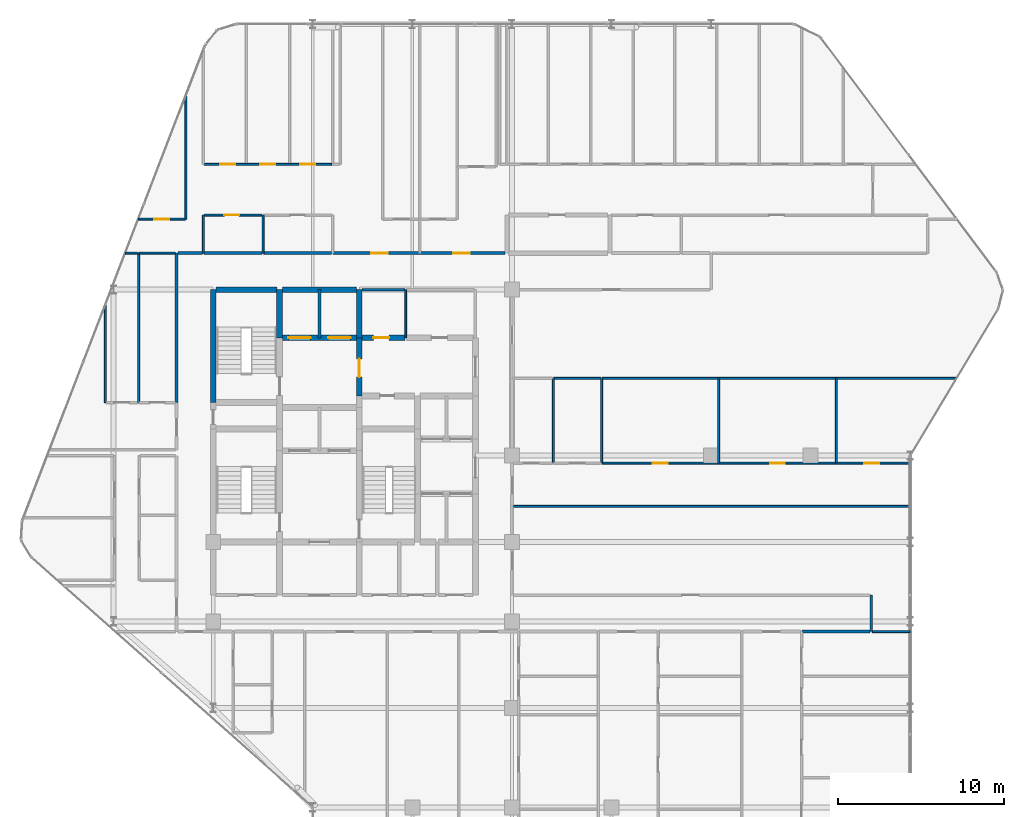
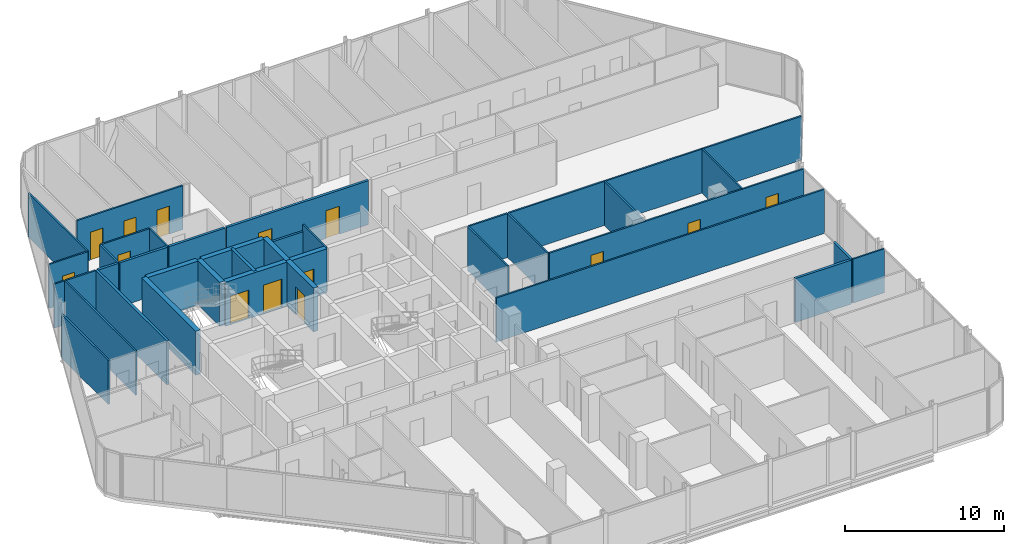
# One storey, part 28 of 31: 37 walls, 14 doors, 14 openings.
"""IFC4 building model written with IfcOpenShell, lengths in metres."""

from ifc_helpers import new_model, si_unit, direction, frame, frame_2d, origin, place, context, subcontext, project, spatial, rectangle, extrude, material, layer, layer_set, type_object, element, fill, save


model = new_model("IFC4")

# Units and contexts
model_context = context("Model", 3, precision=1e-05, world=origin(), true_north=direction((0.0, 1.0)))
body_context = subcontext(model_context, "Body", "Model", "MODEL_VIEW")
ifc_project = project(units=[si_unit("LENGTHUNIT", "METRE"), si_unit("AREAUNIT", "SQUARE_METRE"), si_unit("VOLUMEUNIT", "CUBIC_METRE"), si_unit("PLANEANGLEUNIT", "RADIAN"), si_unit("MASSUNIT", "GRAM", prefix="KILO")], contexts=[model_context])

# Site, building, storey
site_placement = place(None, origin())
site = spatial("IfcSite", under=ifc_project, at=site_placement, CompositionType="ELEMENT")
building_placement = place(site_placement, origin())
building = spatial("IfcBuilding", under=site, at=building_placement, Name="Keshet Zoharim Tower", CompositionType="ELEMENT")
storey_placement = place(building_placement, frame((0.0, 0.0, 144.60009765625)))
storey = spatial("IfcBuildingStorey", under=building, at=storey_placement, Name="L35", CompositionType="ELEMENT", Elevation=144.60009765625)

# Walls
ifc_material_1 = material(Name="Gypsum Plasterboard", Category="gypsum")
ifc_layer_1 = layer(ifc_material_1, 0.14990234375)
ifc_layer_set_1 = layer_set([ifc_layer_1], Name="Gypsum Plasterboard")
wall_type_1 = type_object("IfcWallType", Name="WL-CLIN-150", PredefinedType="STANDARD", material=ifc_layer_set_1)
wall_1_placement = place(storey_placement, frame((54.64990234375, 17.31005859375, 0.0), z_axis=(0.0, 0.0, 1.0), x_axis=(0.0, 1.0, 0.0)))
element("IfcWall", 1, at=wall_1_placement, inside=storey, type_object=wall_type_1, Name="L35 Interior Wall 103", PredefinedType="STANDARD", context=body_context, shape_type="SweptSolid", body=[
    extrude(rectangle(XDim=2.18994140625, YDim=0.14990234375, at=frame_2d((1.094970703125, 0.0))), origin(), (0.0, 0.0, 1.0), 3.385009765625),
])
wall_2_placement = place(storey_placement, frame((23.9599609375, 37.89990234375, 0.0), z_axis=(0.0, 0.0, 1.0), x_axis=(1.0, 0.0, 0.0)))
element("IfcWall", 2, at=wall_2_placement, inside=storey, type_object=wall_type_1, Name="L35 Interior Wall 173", PredefinedType="STANDARD", context=body_context, shape_type="SweptSolid", body=[
    extrude(rectangle(XDim=2.594970703125, YDim=0.14990234375, at=frame_2d((1.29736328125, 0.0))), origin(), (0.0, 0.0, 1.0), 2.885009765625),
])
ifc_material_2 = material(Name="Concrete C60/75", Category="concrete")
ifc_layer_2 = layer(ifc_material_2, 0.35009765625)
ifc_layer_set_2 = layer_set([ifc_layer_2], Name="Concrete C60/75")
wall_type_2 = type_object("IfcWallType", Name="WL-CORE-350", PredefinedType="SHEAR", material=ifc_layer_set_2)
wall_3_placement = place(storey_placement, frame((15.0, 31.10009765625, 0.0), z_axis=(0.0, 0.0, 1.0), x_axis=(0.0, 1.0, 0.0)))
element("IfcWall", 3, at=wall_3_placement, inside=storey, type_object=wall_type_2, Name="L35 Core Shear Wall 017", PredefinedType="SHEAR", context=body_context, shape_type="SweptSolid", body=[
    extrude(rectangle(XDim=6.7998046875, YDim=0.35009765625, at=frame_2d((3.39990234375, 0.0))), origin(), (0.0, 0.0, 1.0), 3.385009765625),
])
wall_4_placement = place(storey_placement, frame((19.0, 35.0, 0.0), z_axis=(0.0, 0.0, 1.0), x_axis=(0.0, 1.0, 0.0)))
element("IfcWall", 4, at=wall_4_placement, inside=storey, type_object=wall_type_2, Name="L35 Core Shear Wall 028", PredefinedType="SHEAR", context=body_context, shape_type="SweptSolid", body=[
    extrude(rectangle(XDim=2.89990234375, YDim=0.35009765625, at=frame_2d((1.449951171875, 0.0))), origin(), (0.0, 0.0, 1.0), 3.385009765625),
])

# Wall, opening, door
wall_5_placement = place(storey_placement, frame((23.800048828125, 31.5, 0.0), z_axis=(0.0, 0.0, 1.0), x_axis=(0.0, 1.0, 0.0)))
wall_5 = element("IfcWall", 5, at=wall_5_placement, inside=storey, type_object=wall_type_2, Name="L35 Core Shear Wall 041", PredefinedType="SHEAR", context=body_context, shape_type="SweptSolid", body=[
    extrude(rectangle(XDim=3.5, YDim=0.35009765625, at=frame_2d((1.75, 0.0))), origin(), (0.0, 0.0, 1.0), 3.385009765625),
])
opening_1_placement = place(wall_5_placement, frame((1.126953125, 0.0, 0.0)))
opening_1 = element("IfcOpeningElement", 6, at=opening_1_placement, cuts=wall_5, Name="Opening D-F611", PredefinedType="OPENING", context=body_context, shape_type="SweptSolid", body=[
    extrude(rectangle(XDim=1.10009765625, YDim=2.14990234375, at=frame_2d((0.550048828125, 1.074951171875))), frame((0.0, 0.18505859375, 0.0), z_axis=(0.0, -1.0, 0.0), x_axis=(1.0, 0.0, 0.0)), (0.0, 0.0, 1.0), 0.3701171875),
])
ifc_material_3 = material(Name="Hardwood Timber", Category="wood")
door_type_1 = type_object("IfcDoorType", Name="DR-FD60-110", OperationType="NOTDEFINED", PredefinedType="DOOR", material=ifc_material_3)
door_1_placement = place(opening_1_placement, origin())
door_1 = element("IfcDoor", 7, at=door_1_placement, inside=storey, type_object=door_type_1, Name="L35 Firefighting Lobby Fire Door", OperationType="SINGLE_SWING_LEFT", OverallHeight=2.14990234375, OverallWidth=1.10009765625, PredefinedType="DOOR", context=body_context, shape_type="SweptSolid", body=[
    extrude(rectangle(XDim=1.10009765625, YDim=2.14990234375, at=frame_2d((0.550048828125, 1.074951171875))), frame((0.0, 0.02490234375, 0.0), z_axis=(0.0, -1.0, 0.0), x_axis=(1.0, 0.0, 0.0)), (0.0, 0.0, 1.0), 0.050048828125),
])
fill(opening_1, door_1)

# Wall
wall_6_placement = place(storey_placement, frame((23.800048828125, 35.0, 0.0), z_axis=(0.0, 0.0, 1.0), x_axis=(0.0, 1.0, 0.0)))
element("IfcWall", 8, at=wall_6_placement, inside=storey, type_object=wall_type_2, Name="L35 Core Shear Wall 042", PredefinedType="SHEAR", context=body_context, shape_type="SweptSolid", body=[
    extrude(rectangle(XDim=2.89990234375, YDim=0.35009765625, at=frame_2d((1.449951171875, 0.0))), origin(), (0.0, 0.0, 1.0), 3.385009765625),
])

# Wall, openings, doors
wall_7_placement = place(storey_placement, frame((19.159912109375, 35.0, 0.0), z_axis=(0.0, 0.0, 1.0), x_axis=(1.0, 0.0, 0.0)))
wall_7 = element("IfcWall", 9, at=wall_7_placement, inside=storey, type_object=wall_type_2, Name="L35 Core Shear Wall 168", PredefinedType="SHEAR", context=body_context, shape_type="SweptSolid", body=[
    extrude(rectangle(XDim=4.47998046875, YDim=0.35009765625, at=frame_2d((2.239990234375, 0.0))), origin(), (0.0, 0.0, 1.0), 3.385009765625),
])
opening_2_placement = place(wall_7_placement, frame((0.364990234375, 0.0, 0.0)))
opening_2 = element("IfcOpeningElement", 10, at=opening_2_placement, cuts=wall_7, Name="Opening LD-02", PredefinedType="OPENING", context=body_context, shape_type="SweptSolid", body=[
    extrude(rectangle(XDim=1.35009765625, YDim=2.199951171875, at=frame_2d((0.675048828125, 1.10009765625))), frame((0.0, 0.18505859375, 0.0), z_axis=(0.0, -1.0, 0.0), x_axis=(1.0, 0.0, 0.0)), (0.0, 0.0, 1.0), 0.3701171875),
])
opening_3_placement = place(wall_7_placement, frame((2.764892578125, 0.0, 0.0)))
opening_3 = element("IfcOpeningElement", 11, at=opening_3_placement, cuts=wall_7, Name="Opening LD-02", PredefinedType="OPENING", context=body_context, shape_type="SweptSolid", body=[
    extrude(rectangle(XDim=1.35009765625, YDim=2.199951171875, at=frame_2d((0.675048828125, 1.10009765625))), frame((0.0, 0.18505859375, 0.0), z_axis=(0.0, -1.0, 0.0), x_axis=(1.0, 0.0, 0.0)), (0.0, 0.0, 1.0), 0.3701171875),
])
ifc_material_4 = material(Name="Steel S355", Category="steel")
door_type_2 = type_object("IfcDoorType", Name="DR-LD02-135", OperationType="DOUBLE_DOOR_SLIDING", PredefinedType="DOOR", material=ifc_material_4)
door_2_placement = place(opening_2_placement, origin())
door_2 = element("IfcDoor", 12, at=door_2_placement, inside=storey, type_object=door_type_2, Name="L35 Firefighting Lift Landing Door FF-01", OperationType="DOUBLE_DOOR_SLIDING", OverallHeight=2.199951171875, OverallWidth=1.35009765625, PredefinedType="DOOR", context=body_context, shape_type="SweptSolid", body=[
    extrude(rectangle(XDim=1.35009765625, YDim=2.199951171875, at=frame_2d((0.675048828125, 1.10009765625))), frame((0.0, 0.02490234375, 0.0), z_axis=(0.0, -1.0, 0.0), x_axis=(1.0, 0.0, 0.0)), (0.0, 0.0, 1.0), 0.050048828125),
])
fill(opening_2, door_2)
door_3_placement = place(opening_3_placement, origin())
door_3 = element("IfcDoor", 13, at=door_3_placement, inside=storey, type_object=door_type_2, Name="L35 Firefighting Lift Landing Door FF-02", OperationType="DOUBLE_DOOR_SLIDING", OverallHeight=2.199951171875, OverallWidth=1.35009765625, PredefinedType="DOOR", context=body_context, shape_type="SweptSolid", body=[
    extrude(rectangle(XDim=1.35009765625, YDim=2.199951171875, at=frame_2d((0.675048828125, 1.10009765625))), frame((0.0, 0.02490234375, 0.0), z_axis=(0.0, -1.0, 0.0), x_axis=(1.0, 0.0, 0.0)), (0.0, 0.0, 1.0), 0.050048828125),
])
fill(opening_3, door_3)

# Wall, opening, door
wall_8_placement = place(storey_placement, frame((23.9599609375, 35.0, 0.0), z_axis=(0.0, 0.0, 1.0), x_axis=(1.0, 0.0, 0.0)))
wall_8 = element("IfcWall", 14, at=wall_8_placement, inside=storey, type_object=wall_type_2, Name="L35 Core Shear Wall 169", PredefinedType="SHEAR", context=body_context, shape_type="SweptSolid", body=[
    extrude(rectangle(XDim=2.594970703125, YDim=0.35009765625, at=frame_2d((1.29736328125, 0.0))), origin(), (0.0, 0.0, 1.0), 3.385009765625),
])
opening_4_placement = place(wall_8_placement, frame((0.69091796875, 0.0, 0.0)))
opening_4 = element("IfcOpeningElement", 15, at=opening_4_placement, cuts=wall_8, Name="Opening D-F695", PredefinedType="OPENING", context=body_context, shape_type="SweptSolid", body=[
    extrude(rectangle(XDim=0.949951171875, YDim=2.14990234375, at=frame_2d((0.47509765625, 1.074951171875))), frame((0.0, 0.18505859375, 0.0), z_axis=(0.0, -1.0, 0.0), x_axis=(1.0, 0.0, 0.0)), (0.0, 0.0, 1.0), 0.3701171875),
])
door_type_3 = type_object("IfcDoorType", Name="DR-FD60-095", OperationType="NOTDEFINED", PredefinedType="DOOR", material=ifc_material_3)
door_4_placement = place(opening_4_placement, frame((0.949951171875, 0.0, 0.0), z_axis=(0.0, 0.0, 1.0), x_axis=(-1.0, 0.0, 0.0)))
door_4 = element("IfcDoor", 16, at=door_4_placement, inside=storey, type_object=door_type_3, Name="L35 Laundry Room Door", OperationType="SINGLE_SWING_RIGHT", OverallHeight=2.14990234375, OverallWidth=0.949951171875, PredefinedType="DOOR", context=body_context, shape_type="SweptSolid", body=[
    extrude(rectangle(XDim=0.949951171875, YDim=2.14990234375, at=frame_2d((0.47509765625, 1.074951171875))), frame((0.0, 0.02490234375, 0.0), z_axis=(0.0, -1.0, 0.0), x_axis=(1.0, 0.0, 0.0)), (0.0, 0.0, 1.0), 0.050048828125),
])
fill(opening_4, door_4)

# Walls
wall_9_placement = place(storey_placement, frame((15.159912109375, 37.89990234375, 0.0), z_axis=(0.0, 0.0, 1.0), x_axis=(1.0, 0.0, 0.0)))
element("IfcWall", 17, at=wall_9_placement, inside=storey, type_object=wall_type_2, Name="L35 Core Shear Wall 171", PredefinedType="SHEAR", context=body_context, shape_type="SweptSolid", body=[
    extrude(rectangle(XDim=3.68017578125, YDim=0.35009765625, at=frame_2d((1.840087890625, 0.0))), origin(), (0.0, 0.0, 1.0), 3.385009765625),
])
wall_10_placement = place(storey_placement, frame((19.159912109375, 37.89990234375, 0.0), z_axis=(0.0, 0.0, 1.0), x_axis=(1.0, 0.0, 0.0)))
element("IfcWall", 18, at=wall_10_placement, inside=storey, type_object=wall_type_2, Name="L35 Core Shear Wall 172", PredefinedType="SHEAR", context=body_context, shape_type="SweptSolid", body=[
    extrude(rectangle(XDim=4.47998046875, YDim=0.35009765625, at=frame_2d((2.239990234375, 0.0))), origin(), (0.0, 0.0, 1.0), 3.385009765625),
])
ifc_layer_3 = layer(ifc_material_1, 0.179931640625)
ifc_layer_set_3 = layer_set([ifc_layer_3], Name="Gypsum Plasterboard")
wall_type_3 = type_object("IfcWallType", Name="WL-CORR-180", PredefinedType="STANDARD", material=ifc_layer_set_3)
wall_11_placement = place(storey_placement, frame((12.800048828125, 31.090087890625, 0.0), z_axis=(0.0, 0.0, 1.0), x_axis=(0.0, 1.0, 0.0)))
element("IfcWall", 19, at=wall_11_placement, inside=storey, type_object=wall_type_3, Name="L35 Interior Wall 010", PredefinedType="STANDARD", context=body_context, shape_type="SweptSolid", body=[
    extrude(rectangle(XDim=9.010009765625, YDim=0.179931640625, at=frame_2d((4.5048828125, 0.0))), origin(), (0.0, 0.0, 1.0), 3.385009765625),
])
wall_12_placement = place(storey_placement, frame((50.485107421875, 17.300048828125, 0.0), z_axis=(0.0, 0.0, 1.0), x_axis=(1.0, 0.0, 0.0)))
element("IfcWall", 20, at=wall_12_placement, inside=storey, type_object=wall_type_3, Name="L35 Interior Wall 129", PredefinedType="STANDARD", context=body_context, shape_type="SweptSolid", body=[
    extrude(rectangle(XDim=4.094970703125, YDim=0.179931640625, at=frame_2d((2.04736328125, 0.0))), origin(), (0.0, 0.0, 1.0), 3.385009765625),
])
wall_13_placement = place(storey_placement, frame((12.875, 40.10009765625, 0.0), z_axis=(0.0, 0.0, 1.0), x_axis=(1.0, 0.0, 0.0)))
element("IfcWall", 21, at=wall_13_placement, inside=storey, type_object=wall_type_3, Name="L35 Interior Wall 178", PredefinedType="STANDARD", context=body_context, shape_type="SweptSolid", body=[
    extrude(rectangle(XDim=1.47998046875, YDim=0.179931640625, at=frame_2d((0.739990234375, 0.0))), origin(), (0.0, 0.0, 1.0), 3.385009765625),
])
wall_14_placement = place(storey_placement, frame((14.445068359375, 40.10009765625, 0.0), z_axis=(0.0, 0.0, 1.0), x_axis=(1.0, 0.0, 0.0)))
element("IfcWall", 22, at=wall_14_placement, inside=storey, type_object=wall_type_3, Name="L35 Interior Wall 179", PredefinedType="STANDARD", context=body_context, shape_type="SweptSolid", body=[
    extrude(rectangle(XDim=3.489013671875, YDim=0.179931640625, at=frame_2d((1.74462890625, 0.0))), origin(), (0.0, 0.0, 1.0), 3.385009765625),
])
wall_15_placement = place(storey_placement, frame((18.02392578125, 40.10009765625, 0.0), z_axis=(0.0, 0.0, 1.0), x_axis=(1.0, 0.0, 0.0)))
element("IfcWall", 23, at=wall_15_placement, inside=storey, type_object=wall_type_3, Name="L35 Interior Wall 180", PredefinedType="STANDARD", context=body_context, shape_type="SweptSolid", body=[
    extrude(rectangle(XDim=4.111083984375, YDim=0.179931640625, at=frame_2d((2.0556640625, 0.0))), origin(), (0.0, 0.0, 1.0), 3.385009765625),
])

# Wall, openings, doors
wall_16_placement = place(storey_placement, frame((22.22509765625, 40.10009765625, 0.0), z_axis=(0.0, 0.0, 1.0), x_axis=(1.0, 0.0, 0.0)))
wall_16 = element("IfcWall", 24, at=wall_16_placement, inside=storey, type_object=wall_type_3, Name="L35 Interior Wall 181", PredefinedType="STANDARD", context=body_context, shape_type="SweptSolid", body=[
    extrude(rectangle(XDim=10.344970703125, YDim=0.179931640625, at=frame_2d((5.17236328125, 0.0))), origin(), (0.0, 0.0, 1.0), 3.385009765625),
])
opening_5_placement = place(wall_16_placement, frame((2.304931640625, 0.0, 0.0)))
opening_5 = element("IfcOpeningElement", 25, at=opening_5_placement, cuts=wall_16, Name="Opening D-F310", PredefinedType="OPENING", context=body_context, shape_type="SweptSolid", body=[
    extrude(rectangle(XDim=1.0, YDim=2.14990234375, at=frame_2d((0.5, 1.074951171875))), frame((0.0, 0.10009765625, 0.0), z_axis=(0.0, -1.0, 0.0), x_axis=(1.0, 0.0, 0.0)), (0.0, 0.0, 1.0), 0.199951171875),
])
opening_6_placement = place(wall_16_placement, frame((7.235107421875, 0.0, 0.0)))
opening_6 = element("IfcOpeningElement", 26, at=opening_6_placement, cuts=wall_16, Name="Opening D-F310", PredefinedType="OPENING", context=body_context, shape_type="SweptSolid", body=[
    extrude(rectangle(XDim=1.0, YDim=2.14990234375, at=frame_2d((0.5, 1.074951171875))), frame((0.0, 0.10009765625, 0.0), z_axis=(0.0, -1.0, 0.0), x_axis=(1.0, 0.0, 0.0)), (0.0, 0.0, 1.0), 0.199951171875),
])
door_type_4 = type_object("IfcDoorType", Name="DR-FD30-100", OperationType="NOTDEFINED", PredefinedType="DOOR", material=ifc_material_3)
door_5_placement = place(opening_5_placement, origin())
door_5 = element("IfcDoor", 27, at=door_5_placement, inside=storey, type_object=door_type_4, Name="Apartment 3505 Entrance Door", OperationType="SINGLE_SWING_LEFT", OverallHeight=2.14990234375, OverallWidth=1.0, PredefinedType="DOOR", context=body_context, shape_type="SweptSolid", body=[
    extrude(rectangle(XDim=1.0, YDim=2.14990234375, at=frame_2d((0.5, 1.074951171875))), frame((0.0, 0.02490234375, 0.0), z_axis=(0.0, -1.0, 0.0), x_axis=(1.0, 0.0, 0.0)), (0.0, 0.0, 1.0), 0.050048828125),
])
fill(opening_5, door_5)
door_6_placement = place(opening_6_placement, origin())
door_6 = element("IfcDoor", 28, at=door_6_placement, inside=storey, type_object=door_type_4, Name="Apartment 3506 Entrance Door", OperationType="SINGLE_SWING_RIGHT", OverallHeight=2.14990234375, OverallWidth=1.0, PredefinedType="DOOR", context=body_context, shape_type="SweptSolid", body=[
    extrude(rectangle(XDim=1.0, YDim=2.14990234375, at=frame_2d((0.5, 1.074951171875))), frame((0.0, 0.02490234375, 0.0), z_axis=(0.0, -1.0, 0.0), x_axis=(1.0, 0.0, 0.0)), (0.0, 0.0, 1.0), 0.050048828125),
])
fill(opening_6, door_6)

# Walls
ifc_material_5 = material(Name="Concrete C50/60", Category="concrete")
ifc_layer_4 = layer(ifc_material_5, 0.199951171875)
ifc_layer_set_4 = layer_set([ifc_layer_4], Name="Concrete C50/60")
wall_type_4 = type_object("IfcWallType", Name="WL-FIRE-200", PredefinedType="STANDARD", material=ifc_layer_set_4)
wall_17_placement = place(storey_placement, frame((21.39990234375, 35.0, 0.0), z_axis=(0.0, 0.0, 1.0), x_axis=(0.0, 1.0, 0.0)))
element("IfcWall", 29, at=wall_17_placement, inside=storey, type_object=wall_type_4, Name="L35 Interior Wall 032", PredefinedType="STANDARD", context=body_context, shape_type="SweptSolid", body=[
    extrude(rectangle(XDim=2.89990234375, YDim=0.199951171875, at=frame_2d((1.449951171875, 0.0))), origin(), (0.0, 0.0, 1.0), 3.385009765625),
])
ifc_layer_5 = layer(ifc_material_1, 0.1201171875)
ifc_layer_set_5 = layer_set([ifc_layer_5], Name="Gypsum Plasterboard")
wall_type_5 = type_object("IfcWallType", Name="WL-PART-120", PredefinedType="PARTITIONING", material=ifc_layer_set_5)
wall_18_placement = place(storey_placement, frame((8.5, 31.090087890625, 0.0), z_axis=(0.0, 0.0, 1.0), x_axis=(0.0, 1.0, 0.0)))
element("IfcWall", 30, at=wall_18_placement, inside=storey, type_object=wall_type_5, Name="L35 Interior Wall 001", PredefinedType="PARTITIONING", context=body_context, shape_type="SweptSolid", body=[
    extrude(rectangle(XDim=5.89990234375, YDim=0.1201171875, at=frame_2d((2.949951171875, 0.0))), origin(), (0.0, 0.0, 1.0), 3.385009765625),
])
wall_19_placement = place(storey_placement, frame((13.35009765625, 42.14990234375, 0.0), z_axis=(0.0, 0.0, 1.0), x_axis=(0.0, 1.0, 0.0)))
element("IfcWall", 31, at=wall_19_placement, inside=storey, type_object=wall_type_5, Name="L35 Interior Wall 011", PredefinedType="PARTITIONING", context=body_context, shape_type="SweptSolid", body=[
    extrude(rectangle(XDim=7.4501953125, YDim=0.1201171875, at=frame_2d((3.72509765625, 0.0))), origin(), (0.0, 0.0, 1.0), 3.385009765625),
])
wall_20_placement = place(storey_placement, frame((14.39990234375, 40.10009765625, 0.0), z_axis=(0.0, 0.0, 1.0), x_axis=(0.0, 1.0, 0.0)))
element("IfcWall", 32, at=wall_20_placement, inside=storey, type_object=wall_type_5, Name="L35 Interior Wall 012", PredefinedType="PARTITIONING", context=body_context, shape_type="SweptSolid", body=[
    extrude(rectangle(XDim=2.2998046875, YDim=0.1201171875, at=frame_2d((1.14990234375, 0.0))), origin(), (0.0, 0.0, 1.0), 3.385009765625),
])
wall_21_placement = place(storey_placement, frame((26.60009765625, 35.0, 0.0), z_axis=(0.0, 0.0, 1.0), x_axis=(0.0, 1.0, 0.0)))
element("IfcWall", 33, at=wall_21_placement, inside=storey, type_object=wall_type_5, Name="L35 Interior Wall 046", PredefinedType="PARTITIONING", context=body_context, shape_type="SweptSolid", body=[
    extrude(rectangle(XDim=2.89990234375, YDim=0.1201171875, at=frame_2d((1.449951171875, 0.0))), origin(), (0.0, 0.0, 1.0), 3.385009765625),
])
for number, where, z_axis, x_axis, name in (
    (34, (45.449951171875, 27.469970703125, 0.0), (0.0, 0.0, 1.0), (0.0, 1.0, 0.0), "L35 Interior Wall 092"),
    (35, (52.550048828125, 27.469970703125, 0.0), (0.0, 0.0, 1.0), (0.0, 1.0, 0.0), "L35 Interior Wall 101"),
):
    element("IfcWall", number, at=place(storey_placement, frame(where, z_axis=z_axis, x_axis=x_axis)), inside=storey, type_object=wall_type_5, Name=name, PredefinedType="PARTITIONING", context=body_context, shape_type="SweptSolid", body=[
        extrude(rectangle(XDim=5.070068359375, YDim=0.1201171875, at=frame_2d((2.53515625, 0.0))), origin(), (0.0, 0.0, 1.0), 3.385009765625),
    ])
wall_22_placement = place(storey_placement, frame((33.0849609375, 24.85009765625, 0.0), z_axis=(0.0, 0.0, 1.0), x_axis=(1.0, 0.0, 0.0)))
element("IfcWall", 36, at=wall_22_placement, inside=storey, type_object=wall_type_5, Name="L35 Interior Wall 146", PredefinedType="PARTITIONING", context=body_context, shape_type="SweptSolid", body=[
    extrude(rectangle(XDim=23.905029296875, YDim=0.1201171875, at=frame_2d((11.95263671875, 0.0))), origin(), (0.0, 0.0, 1.0), 3.385009765625),
])

# Wall, openings, doors
wall_23_placement = place(storey_placement, frame((38.445068359375, 27.449951171875, 0.0), z_axis=(0.0, 0.0, 1.0), x_axis=(1.0, 0.0, 0.0)))
wall_23 = element("IfcWall", 37, at=wall_23_placement, inside=storey, type_object=wall_type_5, Name="L35 Interior Wall 150", PredefinedType="PARTITIONING", context=body_context, shape_type="SweptSolid", body=[
    extrude(rectangle(XDim=18.544921875, YDim=0.1201171875, at=frame_2d((9.2724609375, 0.0))), origin(), (0.0, 0.0, 1.0), 3.385009765625),
])
opening_7_placement = place(wall_23_placement, frame((3.0419921875, 0.0, 0.0)))
opening_7 = element("IfcOpeningElement", 38, at=opening_7_placement, cuts=wall_23, Name="Opening D-IN90", PredefinedType="OPENING", context=body_context, shape_type="SweptSolid", body=[
    extrude(rectangle(XDim=0.89990234375, YDim=2.14990234375, at=frame_2d((0.449951171875, 1.074951171875))), frame((0.0, 0.070068359375, 0.0), z_axis=(0.0, -1.0, 0.0), x_axis=(1.0, 0.0, 0.0)), (0.0, 0.0, 1.0), 0.14013671875),
])
opening_8_placement = place(wall_23_placement, frame((10.10302734375, 0.0, 0.0)))
opening_8 = element("IfcOpeningElement", 39, at=opening_8_placement, cuts=wall_23, Name="Opening D-IN90", PredefinedType="OPENING", context=body_context, shape_type="SweptSolid", body=[
    extrude(rectangle(XDim=0.89990234375, YDim=2.14990234375, at=frame_2d((0.449951171875, 1.074951171875))), frame((0.0, 0.070068359375, 0.0), z_axis=(0.0, -1.0, 0.0), x_axis=(1.0, 0.0, 0.0)), (0.0, 0.0, 1.0), 0.14013671875),
])
opening_9_placement = place(wall_23_placement, frame((15.791015625, 0.0, 0.0)))
opening_9 = element("IfcOpeningElement", 40, at=opening_9_placement, cuts=wall_23, Name="Opening D-IN90", PredefinedType="OPENING", context=body_context, shape_type="SweptSolid", body=[
    extrude(rectangle(XDim=0.89990234375, YDim=2.14990234375, at=frame_2d((0.449951171875, 1.074951171875))), frame((0.0, 0.070068359375, 0.0), z_axis=(0.0, -1.0, 0.0), x_axis=(1.0, 0.0, 0.0)), (0.0, 0.0, 1.0), 0.14013671875),
])
door_type_5 = type_object("IfcDoorType", Name="DR-INT-090", OperationType="NOTDEFINED", PredefinedType="DOOR", material=ifc_material_3)
door_7_placement = place(opening_7_placement, origin())
door_7 = element("IfcDoor", 41, at=door_7_placement, inside=storey, type_object=door_type_5, Name="Apartment 3509 Bedroom 1 Door", OperationType="SINGLE_SWING_RIGHT", OverallHeight=2.14990234375, OverallWidth=0.89990234375, PredefinedType="DOOR", context=body_context, shape_type="SweptSolid", body=[
    extrude(rectangle(XDim=0.89990234375, YDim=2.14990234375, at=frame_2d((0.449951171875, 1.074951171875))), frame((0.0, 0.02490234375, 0.0), z_axis=(0.0, -1.0, 0.0), x_axis=(1.0, 0.0, 0.0)), (0.0, 0.0, 1.0), 0.050048828125),
])
fill(opening_7, door_7)
door_8_placement = place(opening_8_placement, origin())
door_8 = element("IfcDoor", 42, at=door_8_placement, inside=storey, type_object=door_type_5, Name="Apartment 3509 Bedroom 2 Door", OperationType="SINGLE_SWING_LEFT", OverallHeight=2.14990234375, OverallWidth=0.89990234375, PredefinedType="DOOR", context=body_context, shape_type="SweptSolid", body=[
    extrude(rectangle(XDim=0.89990234375, YDim=2.14990234375, at=frame_2d((0.449951171875, 1.074951171875))), frame((0.0, 0.02490234375, 0.0), z_axis=(0.0, -1.0, 0.0), x_axis=(1.0, 0.0, 0.0)), (0.0, 0.0, 1.0), 0.050048828125),
])
fill(opening_8, door_8)
door_9_placement = place(opening_9_placement, origin())
door_9 = element("IfcDoor", 43, at=door_9_placement, inside=storey, type_object=door_type_5, Name="Apartment 3509 Bedroom 3 Door", OperationType="SINGLE_SWING_RIGHT", OverallHeight=2.14990234375, OverallWidth=0.89990234375, PredefinedType="DOOR", context=body_context, shape_type="SweptSolid", body=[
    extrude(rectangle(XDim=0.89990234375, YDim=2.14990234375, at=frame_2d((0.449951171875, 1.074951171875))), frame((0.0, 0.02490234375, 0.0), z_axis=(0.0, -1.0, 0.0), x_axis=(1.0, 0.0, 0.0)), (0.0, 0.0, 1.0), 0.050048828125),
])
fill(opening_9, door_9)

# Walls
wall_24_placement = place(storey_placement, frame((38.445068359375, 32.550048828125, 0.0), z_axis=(0.0, 0.0, 1.0), x_axis=(1.0, 0.0, 0.0)))
element("IfcWall", 44, at=wall_24_placement, inside=storey, type_object=wall_type_5, Name="L35 Interior Wall 167", PredefinedType="PARTITIONING", context=body_context, shape_type="SweptSolid", body=[
    extrude(rectangle(XDim=21.3349609375, YDim=0.1201171875, at=frame_2d((10.66748046875, 0.0))), origin(), (0.0, 0.0, 1.0), 3.385009765625),
])
wall_25_placement = place(storey_placement, frame((9.701904296875, 40.10009765625, 0.0), z_axis=(0.0, 0.0, 1.0), x_axis=(1.0, 0.0, 0.0)))
element("IfcWall", 45, at=wall_25_placement, inside=storey, type_object=wall_type_5, Name="L35 Interior Wall 176", PredefinedType="PARTITIONING", context=body_context, shape_type="SweptSolid", body=[
    extrude(rectangle(XDim=0.731201171875, YDim=0.1201171875, at=frame_2d((0.36572265625, 0.0))), origin(), (0.0, 0.0, 1.0), 3.385009765625),
])

# Wall, opening, door
wall_26_placement = place(storey_placement, frame((10.490966796875, 42.14990234375, 0.0), z_axis=(0.0, 0.0, 1.0), x_axis=(1.0, 0.0, 0.0)))
wall_26 = element("IfcWall", 46, at=wall_26_placement, inside=storey, type_object=wall_type_5, Name="L35 Interior Wall 186", PredefinedType="PARTITIONING", context=body_context, shape_type="SweptSolid", body=[
    extrude(rectangle(XDim=2.828125, YDim=0.1201171875, at=frame_2d((1.4140625, 0.0))), origin(), (0.0, 0.0, 1.0), 3.385009765625),
])
opening_10_placement = place(wall_26_placement, frame((0.962890625, 0.0, 0.0)))
opening_10 = element("IfcOpeningElement", 47, at=opening_10_placement, cuts=wall_26, Name="Opening D-IN90", PredefinedType="OPENING", context=body_context, shape_type="SweptSolid", body=[
    extrude(rectangle(XDim=0.89990234375, YDim=2.14990234375, at=frame_2d((0.449951171875, 1.074951171875))), frame((0.0, 0.070068359375, 0.0), z_axis=(0.0, -1.0, 0.0), x_axis=(1.0, 0.0, 0.0)), (0.0, 0.0, 1.0), 0.14013671875),
])
door_10_placement = place(opening_10_placement, origin())
door_10 = element("IfcDoor", 48, at=door_10_placement, inside=storey, type_object=door_type_5, Name="Apartment 3505 Home Study Room Door", OperationType="SINGLE_SWING_LEFT", OverallHeight=2.14990234375, OverallWidth=0.89990234375, PredefinedType="DOOR", context=body_context, shape_type="SweptSolid", body=[
    extrude(rectangle(XDim=0.89990234375, YDim=2.14990234375, at=frame_2d((0.449951171875, 1.074951171875))), frame((0.0, 0.02490234375, 0.0), z_axis=(0.0, -1.0, 0.0), x_axis=(1.0, 0.0, 0.0)), (0.0, 0.0, 1.0), 0.050048828125),
])
fill(opening_10, door_10)

wall_27_placement = place(storey_placement, frame((14.445068359375, 42.39990234375, 0.0), z_axis=(0.0, 0.0, 1.0), x_axis=(1.0, 0.0, 0.0)))
wall_27 = element("IfcWall", 49, at=wall_27_placement, inside=storey, type_object=wall_type_5, Name="L35 Interior Wall 189", PredefinedType="PARTITIONING", context=body_context, shape_type="SweptSolid", body=[
    extrude(rectangle(XDim=3.489013671875, YDim=0.1201171875, at=frame_2d((1.74462890625, 0.0))), origin(), (0.0, 0.0, 1.0), 3.385009765625),
])
opening_11_placement = place(wall_27_placement, frame((1.221923828125, 0.0, 0.0)))
opening_11 = element("IfcOpeningElement", 50, at=opening_11_placement, cuts=wall_27, Name="Opening D-IN90", PredefinedType="OPENING", context=body_context, shape_type="SweptSolid", body=[
    extrude(rectangle(XDim=0.89990234375, YDim=2.14990234375, at=frame_2d((0.449951171875, 1.074951171875))), frame((0.0, 0.070068359375, 0.0), z_axis=(0.0, -1.0, 0.0), x_axis=(1.0, 0.0, 0.0)), (0.0, 0.0, 1.0), 0.14013671875),
])
door_11_placement = place(opening_11_placement, origin())
door_11 = element("IfcDoor", 51, at=door_11_placement, inside=storey, type_object=door_type_5, Name="Apartment 3505 Kitchen Door", OperationType="SINGLE_SWING_RIGHT", OverallHeight=2.14990234375, OverallWidth=0.89990234375, PredefinedType="DOOR", context=body_context, shape_type="SweptSolid", body=[
    extrude(rectangle(XDim=0.89990234375, YDim=2.14990234375, at=frame_2d((0.449951171875, 1.074951171875))), frame((0.0, 0.02490234375, 0.0), z_axis=(0.0, -1.0, 0.0), x_axis=(1.0, 0.0, 0.0)), (0.0, 0.0, 1.0), 0.050048828125),
])
fill(opening_11, door_11)

# Wall, openings, doors
wall_28_placement = place(storey_placement, frame((14.445068359375, 45.449951171875, 0.0), z_axis=(0.0, 0.0, 1.0), x_axis=(1.0, 0.0, 0.0)))
wall_28 = element("IfcWall", 52, at=wall_28_placement, inside=storey, type_object=wall_type_5, Name="L35 Interior Wall 196", PredefinedType="PARTITIONING", context=body_context, shape_type="SweptSolid", body=[
    extrude(rectangle(XDim=7.68994140625, YDim=0.1201171875, at=frame_2d((3.844970703125, 0.0))), origin(), (0.0, 0.0, 1.0), 3.385009765625),
])
opening_12_placement = place(wall_28_placement, frame((0.97607421875, 0.0, 0.0)))
opening_12 = element("IfcOpeningElement", 53, at=opening_12_placement, cuts=wall_28, Name="Opening D-IN90", PredefinedType="OPENING", context=body_context, shape_type="SweptSolid", body=[
    extrude(rectangle(XDim=0.89990234375, YDim=2.14990234375, at=frame_2d((0.449951171875, 1.074951171875))), frame((0.0, 0.070068359375, 0.0), z_axis=(0.0, -1.0, 0.0), x_axis=(1.0, 0.0, 0.0)), (0.0, 0.0, 1.0), 0.14013671875),
])
opening_13_placement = place(wall_28_placement, frame((3.39501953125, 0.0, 0.0)))
opening_13 = element("IfcOpeningElement", 54, at=opening_13_placement, cuts=wall_28, Name="Opening D-IN90", PredefinedType="OPENING", context=body_context, shape_type="SweptSolid", body=[
    extrude(rectangle(XDim=0.89990234375, YDim=2.14990234375, at=frame_2d((0.449951171875, 1.074951171875))), frame((0.0, 0.070068359375, 0.0), z_axis=(0.0, -1.0, 0.0), x_axis=(1.0, 0.0, 0.0)), (0.0, 0.0, 1.0), 0.14013671875),
])
opening_14_placement = place(wall_28_placement, frame((5.81298828125, 0.0, 0.0)))
opening_14 = element("IfcOpeningElement", 55, at=opening_14_placement, cuts=wall_28, Name="Opening D-IN90", PredefinedType="OPENING", context=body_context, shape_type="SweptSolid", body=[
    extrude(rectangle(XDim=0.89990234375, YDim=2.14990234375, at=frame_2d((0.449951171875, 1.074951171875))), frame((0.0, 0.070068359375, 0.0), z_axis=(0.0, -1.0, 0.0), x_axis=(1.0, 0.0, 0.0)), (0.0, 0.0, 1.0), 0.14013671875),
])
door_12_placement = place(opening_12_placement, origin())
door_12 = element("IfcDoor", 56, at=door_12_placement, inside=storey, type_object=door_type_5, Name="Apartment 3505 Bedroom 1 Door", OperationType="SINGLE_SWING_RIGHT", OverallHeight=2.14990234375, OverallWidth=0.89990234375, PredefinedType="DOOR", context=body_context, shape_type="SweptSolid", body=[
    extrude(rectangle(XDim=0.89990234375, YDim=2.14990234375, at=frame_2d((0.449951171875, 1.074951171875))), frame((0.0, 0.02490234375, 0.0), z_axis=(0.0, -1.0, 0.0), x_axis=(1.0, 0.0, 0.0)), (0.0, 0.0, 1.0), 0.050048828125),
])
fill(opening_12, door_12)
door_13_placement = place(opening_13_placement, origin())
door_13 = element("IfcDoor", 57, at=door_13_placement, inside=storey, type_object=door_type_5, Name="Apartment 3505 Bedroom 2 Door", OperationType="SINGLE_SWING_LEFT", OverallHeight=2.14990234375, OverallWidth=0.89990234375, PredefinedType="DOOR", context=body_context, shape_type="SweptSolid", body=[
    extrude(rectangle(XDim=0.89990234375, YDim=2.14990234375, at=frame_2d((0.449951171875, 1.074951171875))), frame((0.0, 0.02490234375, 0.0), z_axis=(0.0, -1.0, 0.0), x_axis=(1.0, 0.0, 0.0)), (0.0, 0.0, 1.0), 0.050048828125),
])
fill(opening_13, door_13)
door_14_placement = place(opening_14_placement, origin())
door_14 = element("IfcDoor", 58, at=door_14_placement, inside=storey, type_object=door_type_5, Name="Apartment 3505 Bedroom 3 Door", OperationType="SINGLE_SWING_RIGHT", OverallHeight=2.14990234375, OverallWidth=0.89990234375, PredefinedType="DOOR", context=body_context, shape_type="SweptSolid", body=[
    extrude(rectangle(XDim=0.89990234375, YDim=2.14990234375, at=frame_2d((0.449951171875, 1.074951171875))), frame((0.0, 0.02490234375, 0.0), z_axis=(0.0, -1.0, 0.0), x_axis=(1.0, 0.0, 0.0)), (0.0, 0.0, 1.0), 0.050048828125),
])
fill(opening_14, door_14)

# Walls
ifc_layer_6 = layer(ifc_material_1, 0.1201171875)
ifc_layer_set_6 = layer_set([ifc_layer_6], Name="Gypsum Plasterboard")
wall_type_6 = type_object("IfcWallType", Name="WL-WET-120", PredefinedType="PARTITIONING", material=ifc_layer_set_6)
wall_29_placement = place(storey_placement, frame((10.5, 31.090087890625, 0.0), z_axis=(0.0, 0.0, 1.0), x_axis=(0.0, 1.0, 0.0)))
element("IfcWall", 59, at=wall_29_placement, inside=storey, type_object=wall_type_6, Name="L35 Interior Wall 003", PredefinedType="PARTITIONING", context=body_context, shape_type="SweptSolid", body=[
    extrude(rectangle(XDim=9.010009765625, YDim=0.1201171875, at=frame_2d((4.5048828125, 0.0))), origin(), (0.0, 0.0, 1.0), 3.385009765625),
])
wall_30_placement = place(storey_placement, frame((18.0, 40.10009765625, 0.0), z_axis=(0.0, 0.0, 1.0), x_axis=(0.0, 1.0, 0.0)))
element("IfcWall", 60, at=wall_30_placement, inside=storey, type_object=wall_type_6, Name="L35 Interior Wall 021", PredefinedType="PARTITIONING", context=body_context, shape_type="SweptSolid", body=[
    extrude(rectangle(XDim=2.2998046875, YDim=0.1201171875, at=frame_2d((1.14990234375, 0.0))), origin(), (0.0, 0.0, 1.0), 3.385009765625),
])
for number, where, z_axis, x_axis, name in (
    (61, (35.5, 27.469970703125, 0.0), (0.0, 0.0, 1.0), (0.0, 1.0, 0.0), "L35 Interior Wall 077"),
    (62, (38.39990234375, 27.469970703125, 0.0), (0.0, 0.0, 1.0), (0.0, 1.0, 0.0), "L35 Interior Wall 082"),
):
    element("IfcWall", number, at=place(storey_placement, frame(where, z_axis=z_axis, x_axis=x_axis)), inside=storey, type_object=wall_type_6, Name=name, PredefinedType="PARTITIONING", context=body_context, shape_type="SweptSolid", body=[
        extrude(rectangle(XDim=5.070068359375, YDim=0.1201171875, at=frame_2d((2.53515625, 0.0))), origin(), (0.0, 0.0, 1.0), 3.385009765625),
    ])
wall_31_placement = place(storey_placement, frame((54.7099609375, 17.300048828125, 0.0), z_axis=(0.0, 0.0, 1.0), x_axis=(1.0, 0.0, 0.0)))
element("IfcWall", 63, at=wall_31_placement, inside=storey, type_object=wall_type_6, Name="L35 Interior Wall 130", PredefinedType="PARTITIONING", context=body_context, shape_type="SweptSolid", body=[
    extrude(rectangle(XDim=2.280029296875, YDim=0.1201171875, at=frame_2d((1.14013671875, 0.0))), origin(), (0.0, 0.0, 1.0), 3.385009765625),
])
wall_32_placement = place(storey_placement, frame((35.529052734375, 32.550048828125, 0.0), z_axis=(0.0, 0.0, 1.0), x_axis=(1.0, 0.0, 0.0)))
element("IfcWall", 64, at=wall_32_placement, inside=storey, type_object=wall_type_6, Name="L35 Interior Wall 166", PredefinedType="PARTITIONING", context=body_context, shape_type="SweptSolid", body=[
    extrude(rectangle(XDim=2.825927734375, YDim=0.1201171875, at=frame_2d((1.4130859375, 0.0))), origin(), (0.0, 0.0, 1.0), 3.385009765625),
])
wall_33_placement = place(storey_placement, frame((10.52294921875, 40.10009765625, 0.0), z_axis=(0.0, 0.0, 1.0), x_axis=(1.0, 0.0, 0.0)))
element("IfcWall", 65, at=wall_33_placement, inside=storey, type_object=wall_type_6, Name="L35 Interior Wall 177", PredefinedType="PARTITIONING", context=body_context, shape_type="SweptSolid", body=[
    extrude(rectangle(XDim=2.2021484375, YDim=0.1201171875, at=frame_2d((1.10107421875, 0.0))), origin(), (0.0, 0.0, 1.0), 3.385009765625),
])

save(model, "model.ifc")
